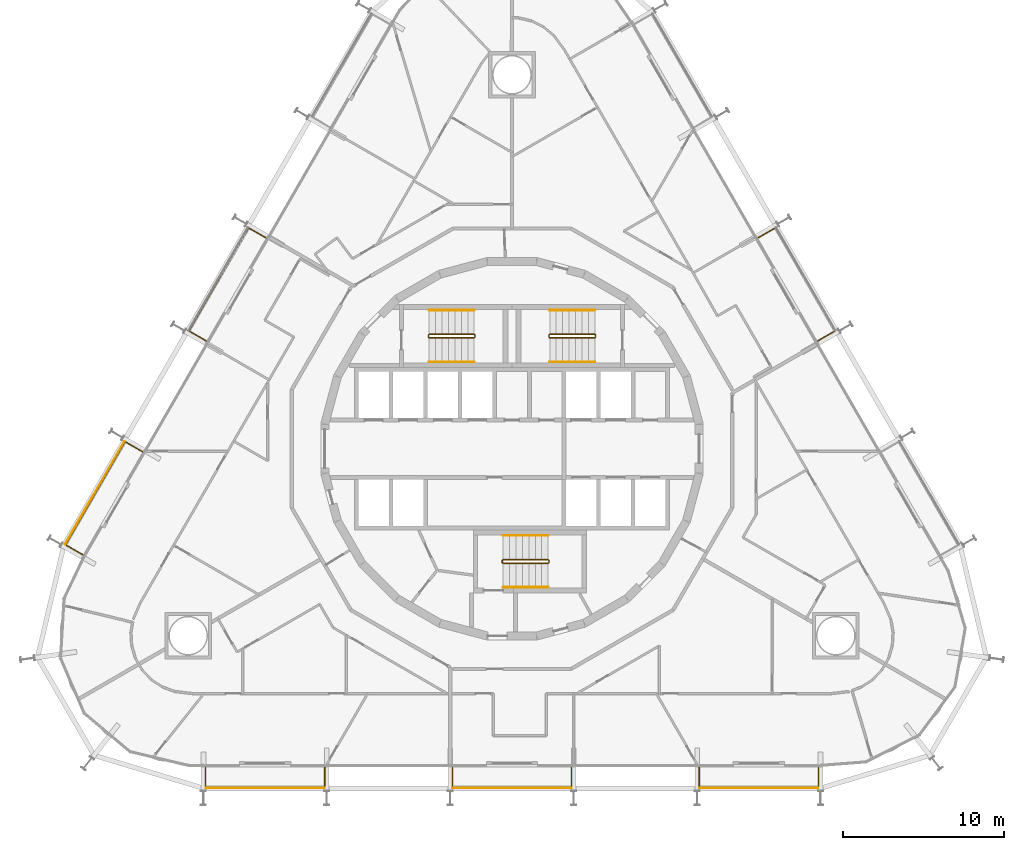
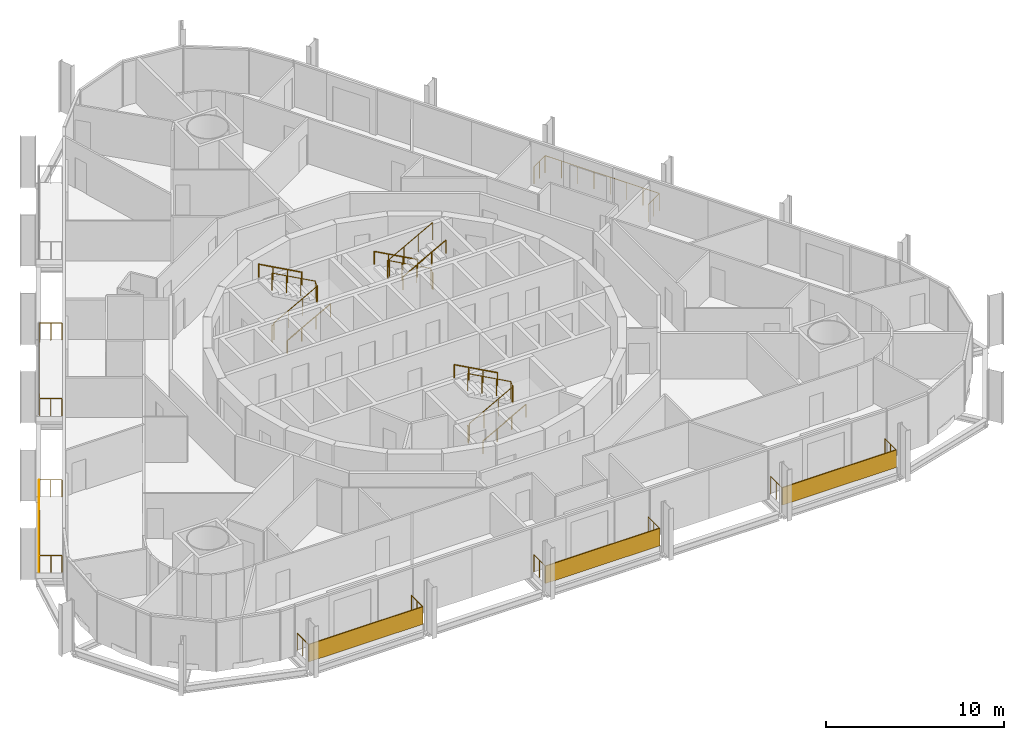
# One storey, part 19 of 20: 15 railings, 4 shading devices.
"""IFC4 building model written with IfcOpenShell, lengths in metres."""

from ifc_helpers import new_model, si_unit, direction, frame, origin, origin_2d, place, context, subcontext, project, spatial, rectangle, circle, extrude, material, layer, layer_set, type_object, element, save


model = new_model("IFC4")

# Units and contexts
model_context = context("Model", 3, precision=1e-05, world=origin(), true_north=direction((0.0, 1.0)))
body_context = subcontext(model_context, "Body", "Model", "MODEL_VIEW")
ifc_project = project(units=[si_unit("LENGTHUNIT", "METRE"), si_unit("AREAUNIT", "SQUARE_METRE"), si_unit("VOLUMEUNIT", "CUBIC_METRE"), si_unit("PLANEANGLEUNIT", "RADIAN"), si_unit("MASSUNIT", "GRAM", prefix="KILO")], contexts=[model_context])

# Site, building, storey
site_placement = place(None, origin())
site = spatial("IfcSite", under=ifc_project, at=site_placement, CompositionType="ELEMENT")
building_placement = place(site_placement, origin())
building = spatial("IfcBuilding", under=site, at=building_placement, Name="Spindle Arch Residences", CompositionType="ELEMENT")
storey_placement = place(building_placement, frame((0.0, 0.0, 41.89990234375)))
storey = spatial("IfcBuildingStorey", under=building, at=storey_placement, Name="L08", CompositionType="ELEMENT", Elevation=41.89990234375)

# Railings
ifc_material_1 = material(Name="Bronze anodised aluminium guard with glass infill", Category="aluminium")
railing_type_1 = type_object("IfcRailingType", Name="Balcony guard 1200", PredefinedType="GUARDRAIL", material=ifc_material_1)
railing_1_placement = place(storey_placement, frame((11.655029296875, -19.81982421875, 0.0)))
element("IfcRailing", 1, at=railing_1_placement, inside=storey, type_object=railing_type_1, Name="Guard L08 bay 2", PredefinedType="GUARDRAIL", context=body_context, shape_type="SweptSolid", body=[
    extrude(circle(Radius=0.02392578125, at=origin_2d()), frame((0.0, 0.0, 1.17578125), z_axis=(0.0, -1.0, 0.0), x_axis=(1.0, 0.0, 0.0)), (0.0, 0.0, 1.0), 1.25),
    extrude(circle(Radius=0.02392578125, at=origin_2d()), frame((0.0, -1.25, 1.17578125), z_axis=(1.0, 0.0, 0.0), x_axis=(0.0, 1.0, 0.0)), (0.0, 0.0, 1.0), 7.41015625),
    extrude(circle(Radius=0.02392578125, at=origin_2d()), frame((7.41015625, -1.25, 1.17578125), z_axis=(0.0, 1.0, 0.0), x_axis=(-1.0, 0.0, 0.0)), (0.0, 0.0, 1.0), 1.25),
    extrude(circle(Radius=0.02099609375, at=origin_2d()), origin(), (0.0, 0.0, 1.0), 1.15185546875),
    extrude(circle(Radius=0.02099609375, at=origin_2d()), frame((0.0, -0.625, 0.0)), (0.0, 0.0, 1.0), 1.15185546875),
    extrude(circle(Radius=0.02099609375, at=origin_2d()), frame((0.0, -1.25, 0.0)), (0.0, 0.0, 1.0), 1.15185546875),
    extrude(circle(Radius=0.02099609375, at=origin_2d()), frame((1.05859375, -1.25, 0.0)), (0.0, 0.0, 1.0), 1.15185546875),
    extrude(circle(Radius=0.02099609375, at=origin_2d()), frame((2.1171875, -1.25, 0.0)), (0.0, 0.0, 1.0), 1.15185546875),
    extrude(circle(Radius=0.02099609375, at=origin_2d()), frame((3.17578125, -1.25, 0.0)), (0.0, 0.0, 1.0), 1.15185546875),
    extrude(circle(Radius=0.02099609375, at=origin_2d()), frame((4.234375, -1.25, 0.0)), (0.0, 0.0, 1.0), 1.15185546875),
    extrude(circle(Radius=0.02099609375, at=origin_2d()), frame((5.29296875, -1.25, 0.0)), (0.0, 0.0, 1.0), 1.15185546875),
    extrude(circle(Radius=0.02099609375, at=origin_2d()), frame((6.3515625, -1.25, 0.0)), (0.0, 0.0, 1.0), 1.15185546875),
    extrude(circle(Radius=0.02099609375, at=origin_2d()), frame((7.41015625, -1.25, 0.0)), (0.0, 0.0, 1.0), 1.15185546875),
    extrude(circle(Radius=0.02099609375, at=origin_2d()), frame((7.41015625, -0.625, 0.0)), (0.0, 0.0, 1.0), 1.15185546875),
    extrude(circle(Radius=0.02099609375, at=origin_2d()), frame((7.41015625, 0.0, 0.0)), (0.0, 0.0, 1.0), 1.15185546875),
])
railing_2_placement = place(storey_placement, frame((19.01708984375, 6.701416015625, 0.0)))
element("IfcRailing", 2, at=railing_2_placement, inside=storey, type_object=railing_type_1, Name="Guard L08 bay 8", PredefinedType="GUARDRAIL", context=body_context, shape_type="SweptSolid", body=[
    extrude(circle(Radius=0.02392578125, at=origin_2d()), frame((0.0, 0.0, 1.17578125), z_axis=(0.866022959057, 0.500004234368, 0.0), x_axis=(-0.500004234368, 0.866022959057, 0.0)), (0.0, 0.0, 1.0), 1.25),
    extrude(circle(Radius=0.02392578125, at=origin_2d()), frame((1.08251953125, 0.625, 1.17578125), z_axis=(-0.500008603535, 0.866020436474, 0.0), x_axis=(-0.866020436474, -0.500008603535, 0.0)), (0.0, 0.0, 1.0), 7.409912109375),
    extrude(circle(Radius=0.02392578125, at=origin_2d()), frame((-2.62255859375, 7.042236328125, 1.17578125), z_axis=(-0.866022959057, -0.500004234368, 0.0), x_axis=(0.500004234368, -0.866022959057, 0.0)), (0.0, 0.0, 1.0), 1.25),
    extrude(circle(Radius=0.02099609375, at=origin_2d()), origin(), (0.0, 0.0, 1.0), 1.15185546875),
    extrude(circle(Radius=0.02099609375, at=origin_2d()), frame((0.541259765625, 0.3125, 0.0)), (0.0, 0.0, 1.0), 1.15185546875),
    extrude(circle(Radius=0.02099609375, at=origin_2d()), frame((1.08251953125, 0.625, 0.0)), (0.0, 0.0, 1.0), 1.15185546875),
    extrude(circle(Radius=0.02099609375, at=origin_2d()), frame((0.55322265625, 1.541748046875, 0.0)), (0.0, 0.0, 1.0), 1.15185546875),
    extrude(circle(Radius=0.02099609375, at=origin_2d()), frame((0.02392578125, 2.45849609375, 0.0)), (0.0, 0.0, 1.0), 1.15185546875),
    extrude(circle(Radius=0.02099609375, at=origin_2d()), frame((-0.50537109375, 3.375244140625, 0.0)), (0.0, 0.0, 1.0), 1.15185546875),
    extrude(circle(Radius=0.02099609375, at=origin_2d()), frame((-1.03466796875, 4.2919921875, 0.0)), (0.0, 0.0, 1.0), 1.15185546875),
    extrude(circle(Radius=0.02099609375, at=origin_2d()), frame((-1.56396484375, 5.208740234375, 0.0)), (0.0, 0.0, 1.0), 1.15185546875),
    extrude(circle(Radius=0.02099609375, at=origin_2d()), frame((-2.09326171875, 6.12548828125, 0.0)), (0.0, 0.0, 1.0), 1.15185546875),
    extrude(circle(Radius=0.02099609375, at=origin_2d()), frame((-2.62255859375, 7.042236328125, 0.0)), (0.0, 0.0, 1.0), 1.15185546875),
    extrude(circle(Radius=0.02099609375, at=origin_2d()), frame((-3.163818359375, 6.729736328125, 0.0)), (0.0, 0.0, 1.0), 1.15185546875),
    extrude(circle(Radius=0.02099609375, at=origin_2d()), frame((-3.705078125, 6.417236328125, 0.0)), (0.0, 0.0, 1.0), 1.15185546875),
])
railing_3_placement = place(storey_placement, frame((-15.31201171875, 13.11865234375, 0.0)))
element("IfcRailing", 3, at=railing_3_placement, inside=storey, type_object=railing_type_1, Name="Guard L08 bay 16", PredefinedType="GUARDRAIL", context=body_context, shape_type="SweptSolid", body=[
    extrude(circle(Radius=0.02392578125, at=origin_2d()), frame((0.0, 0.0, 1.17578125), z_axis=(-0.866022959057, 0.500004234368, 0.0), x_axis=(-0.500004234368, -0.866022959057, 0.0)), (0.0, 0.0, 1.0), 1.25),
    extrude(circle(Radius=0.02392578125, at=origin_2d()), frame((-1.08251953125, 0.625, 1.17578125), z_axis=(-0.500008603535, -0.866020436474, 0.0), x_axis=(0.866020436474, -0.500008603535, 0.0)), (0.0, 0.0, 1.0), 7.409912109375),
    extrude(circle(Radius=0.02392578125, at=origin_2d()), frame((-4.78759765625, -5.792236328125, 1.17578125), z_axis=(0.866022959057, -0.500004234368, 0.0), x_axis=(0.500004234368, 0.866022959057, 0.0)), (0.0, 0.0, 1.0), 1.25),
    extrude(circle(Radius=0.02099609375, at=origin_2d()), origin(), (0.0, 0.0, 1.0), 1.15185546875),
    extrude(circle(Radius=0.02099609375, at=origin_2d()), frame((-0.541259765625, 0.3125, 0.0)), (0.0, 0.0, 1.0), 1.15185546875),
    extrude(circle(Radius=0.02099609375, at=origin_2d()), frame((-1.08251953125, 0.625, 0.0)), (0.0, 0.0, 1.0), 1.15185546875),
    extrude(circle(Radius=0.02099609375, at=origin_2d()), frame((-1.61181640625, -0.291748046875, 0.0)), (0.0, 0.0, 1.0), 1.15185546875),
    extrude(circle(Radius=0.02099609375, at=origin_2d()), frame((-2.14111328125, -1.20849609375, 0.0)), (0.0, 0.0, 1.0), 1.15185546875),
    extrude(circle(Radius=0.02099609375, at=origin_2d()), frame((-2.67041015625, -2.125244140625, 0.0)), (0.0, 0.0, 1.0), 1.15185546875),
    extrude(circle(Radius=0.02099609375, at=origin_2d()), frame((-3.19970703125, -3.0419921875, 0.0)), (0.0, 0.0, 1.0), 1.15185546875),
    extrude(circle(Radius=0.02099609375, at=origin_2d()), frame((-3.72900390625, -3.958740234375, 0.0)), (0.0, 0.0, 1.0), 1.15185546875),
    extrude(circle(Radius=0.02099609375, at=origin_2d()), frame((-4.25830078125, -4.87548828125, 0.0)), (0.0, 0.0, 1.0), 1.15185546875),
    extrude(circle(Radius=0.02099609375, at=origin_2d()), frame((-4.78759765625, -5.792236328125, 0.0)), (0.0, 0.0, 1.0), 1.15185546875),
    extrude(circle(Radius=0.02099609375, at=origin_2d()), frame((-4.246337890625, -6.104736328125, 0.0)), (0.0, 0.0, 1.0), 1.15185546875),
    extrude(circle(Radius=0.02099609375, at=origin_2d()), frame((-3.705078125, -6.417236328125, 0.0)), (0.0, 0.0, 1.0), 1.15185546875),
])
railing_4_placement = place(storey_placement, frame((-22.9921875, -0.18359375, 0.0)))
element("IfcRailing", 4, at=railing_4_placement, inside=storey, type_object=railing_type_1, Name="Guard L08 bay 18", PredefinedType="GUARDRAIL", context=body_context, shape_type="SweptSolid", body=[
    extrude(circle(Radius=0.02392578125, at=origin_2d()), frame((0.0, 0.0, 1.17578125), z_axis=(-0.866022959057, 0.500004234368, 0.0), x_axis=(-0.500004234368, -0.866022959057, 0.0)), (0.0, 0.0, 1.0), 1.25),
    extrude(circle(Radius=0.02392578125, at=origin_2d()), frame((-1.08251953125, 0.625, 1.17578125), z_axis=(-0.499994337101, -0.866028673236, 0.0), x_axis=(0.866028673236, -0.499994337101, 0.0)), (0.0, 0.0, 1.0), 7.41015625),
    extrude(circle(Radius=0.02392578125, at=origin_2d()), frame((-4.78759765625, -5.79248046875, 1.17578125), z_axis=(0.866071776036, -0.499919672301, 0.0), x_axis=(0.499919672301, 0.866071776036, 0.0)), (0.0, 0.0, 1.0), 1.250244140625),
    extrude(circle(Radius=0.02099609375, at=origin_2d()), origin(), (0.0, 0.0, 1.0), 1.15185546875),
    extrude(circle(Radius=0.02099609375, at=origin_2d()), frame((-0.541259765625, 0.3125, 0.0)), (0.0, 0.0, 1.0), 1.15185546875),
    extrude(circle(Radius=0.02099609375, at=origin_2d()), frame((-1.08251953125, 0.625, 0.0)), (0.0, 0.0, 1.0), 1.15185546875),
    extrude(circle(Radius=0.02099609375, at=origin_2d()), frame((-1.61181640625, -0.291748046875, 0.0)), (0.0, 0.0, 1.0), 1.15185546875),
    extrude(circle(Radius=0.02099609375, at=origin_2d()), frame((-2.14111328125, -1.20849609375, 0.0)), (0.0, 0.0, 1.0), 1.15185546875),
    extrude(circle(Radius=0.02099609375, at=origin_2d()), frame((-2.67041015625, -2.125244140625, 0.0)), (0.0, 0.0, 1.0), 1.15185546875),
    extrude(circle(Radius=0.02099609375, at=origin_2d()), frame((-3.19970703125, -3.042236328125, 0.0)), (0.0, 0.0, 1.0), 1.15185546875),
    extrude(circle(Radius=0.02099609375, at=origin_2d()), frame((-3.72900390625, -3.958984375, 0.0)), (0.0, 0.0, 1.0), 1.15185546875),
    extrude(circle(Radius=0.02099609375, at=origin_2d()), frame((-4.25830078125, -4.875732421875, 0.0)), (0.0, 0.0, 1.0), 1.15185546875),
    extrude(circle(Radius=0.02099609375, at=origin_2d()), frame((-4.78759765625, -5.79248046875, 0.0)), (0.0, 0.0, 1.0), 1.15185546875),
    extrude(circle(Radius=0.02099609375, at=origin_2d()), frame((-4.24609375, -6.10498046875, 0.0)), (0.0, 0.0, 1.0), 1.15185546875),
    extrude(circle(Radius=0.02099609375, at=origin_2d()), frame((-3.704833984375, -6.41748046875, 0.0)), (0.0, 0.0, 1.0), 1.15185546875),
])
railing_5_placement = place(storey_placement, frame((-19.065185546875, -19.81982421875, 0.0)))
element("IfcRailing", 5, at=railing_5_placement, inside=storey, type_object=railing_type_1, Name="Guard L08 bay 22", PredefinedType="GUARDRAIL", context=body_context, shape_type="SweptSolid", body=[
    extrude(circle(Radius=0.02392578125, at=origin_2d()), frame((0.0, 0.0, 1.17578125), z_axis=(0.0, -1.0, 0.0), x_axis=(1.0, 0.0, 0.0)), (0.0, 0.0, 1.0), 1.25),
    extrude(circle(Radius=0.02392578125, at=origin_2d()), frame((0.0, -1.25, 1.17578125), z_axis=(1.0, 0.0, 0.0), x_axis=(0.0, 1.0, 0.0)), (0.0, 0.0, 1.0), 7.41015625),
    extrude(circle(Radius=0.02392578125, at=origin_2d()), frame((7.41015625, -1.25, 1.17578125), z_axis=(0.0, 1.0, 0.0), x_axis=(-1.0, 0.0, 0.0)), (0.0, 0.0, 1.0), 1.25),
    extrude(circle(Radius=0.02099609375, at=origin_2d()), origin(), (0.0, 0.0, 1.0), 1.15185546875),
    extrude(circle(Radius=0.02099609375, at=origin_2d()), frame((0.0, -0.625, 0.0)), (0.0, 0.0, 1.0), 1.15185546875),
    extrude(circle(Radius=0.02099609375, at=origin_2d()), frame((0.0, -1.25, 0.0)), (0.0, 0.0, 1.0), 1.15185546875),
    extrude(circle(Radius=0.02099609375, at=origin_2d()), frame((1.05859375, -1.25, 0.0)), (0.0, 0.0, 1.0), 1.15185546875),
    extrude(circle(Radius=0.02099609375, at=origin_2d()), frame((2.1171875, -1.25, 0.0)), (0.0, 0.0, 1.0), 1.15185546875),
    extrude(circle(Radius=0.02099609375, at=origin_2d()), frame((3.17578125, -1.25, 0.0)), (0.0, 0.0, 1.0), 1.15185546875),
    extrude(circle(Radius=0.02099609375, at=origin_2d()), frame((4.234375, -1.25, 0.0)), (0.0, 0.0, 1.0), 1.15185546875),
    extrude(circle(Radius=0.02099609375, at=origin_2d()), frame((5.29296875, -1.25, 0.0)), (0.0, 0.0, 1.0), 1.15185546875),
    extrude(circle(Radius=0.02099609375, at=origin_2d()), frame((6.3515625, -1.25, 0.0)), (0.0, 0.0, 1.0), 1.15185546875),
    extrude(circle(Radius=0.02099609375, at=origin_2d()), frame((7.41015625, -1.25, 0.0)), (0.0, 0.0, 1.0), 1.15185546875),
    extrude(circle(Radius=0.02099609375, at=origin_2d()), frame((7.41015625, -0.625, 0.0)), (0.0, 0.0, 1.0), 1.15185546875),
    extrude(circle(Radius=0.02099609375, at=origin_2d()), frame((7.41015625, 0.0, 0.0)), (0.0, 0.0, 1.0), 1.15185546875),
])
railing_6_placement = place(storey_placement, frame((-3.705078125, -19.81982421875, 0.0)))
element("IfcRailing", 6, at=railing_6_placement, inside=storey, type_object=railing_type_1, Name="Guard L08 bay 24", PredefinedType="GUARDRAIL", context=body_context, shape_type="SweptSolid", body=[
    extrude(circle(Radius=0.02392578125, at=origin_2d()), frame((0.0, 0.0, 1.17578125), z_axis=(0.0, -1.0, 0.0), x_axis=(1.0, 0.0, 0.0)), (0.0, 0.0, 1.0), 1.25),
    extrude(circle(Radius=0.02392578125, at=origin_2d()), frame((0.0, -1.25, 1.17578125), z_axis=(1.0, 0.0, 0.0), x_axis=(0.0, 1.0, 0.0)), (0.0, 0.0, 1.0), 7.41015625),
    extrude(circle(Radius=0.02392578125, at=origin_2d()), frame((7.41015625, -1.25, 1.17578125), z_axis=(0.0, 1.0, 0.0), x_axis=(-1.0, 0.0, 0.0)), (0.0, 0.0, 1.0), 1.25),
    extrude(circle(Radius=0.02099609375, at=origin_2d()), origin(), (0.0, 0.0, 1.0), 1.15185546875),
    extrude(circle(Radius=0.02099609375, at=origin_2d()), frame((0.0, -0.625, 0.0)), (0.0, 0.0, 1.0), 1.15185546875),
    extrude(circle(Radius=0.02099609375, at=origin_2d()), frame((0.0, -1.25, 0.0)), (0.0, 0.0, 1.0), 1.15185546875),
    extrude(circle(Radius=0.02099609375, at=origin_2d()), frame((1.05859375, -1.25, 0.0)), (0.0, 0.0, 1.0), 1.15185546875),
    extrude(circle(Radius=0.02099609375, at=origin_2d()), frame((2.1171875, -1.25, 0.0)), (0.0, 0.0, 1.0), 1.15185546875),
    extrude(circle(Radius=0.02099609375, at=origin_2d()), frame((3.17578125, -1.25, 0.0)), (0.0, 0.0, 1.0), 1.15185546875),
    extrude(circle(Radius=0.02099609375, at=origin_2d()), frame((4.234375, -1.25, 0.0)), (0.0, 0.0, 1.0), 1.15185546875),
    extrude(circle(Radius=0.02099609375, at=origin_2d()), frame((5.29296875, -1.25, 0.0)), (0.0, 0.0, 1.0), 1.15185546875),
    extrude(circle(Radius=0.02099609375, at=origin_2d()), frame((6.3515625, -1.25, 0.0)), (0.0, 0.0, 1.0), 1.15185546875),
    extrude(circle(Radius=0.02099609375, at=origin_2d()), frame((7.41015625, -1.25, 0.0)), (0.0, 0.0, 1.0), 1.15185546875),
    extrude(circle(Radius=0.02099609375, at=origin_2d()), frame((7.41015625, -0.625, 0.0)), (0.0, 0.0, 1.0), 1.15185546875),
    extrude(circle(Radius=0.02099609375, at=origin_2d()), frame((7.41015625, 0.0, 0.0)), (0.0, 0.0, 1.0), 1.15185546875),
])

# Shading devices
ifc_material_2 = material(Name="Bronze perforated cobogo screen")
ifc_layer = layer(ifc_material_2, 0.0390625)
ifc_layer_set = layer_set([ifc_layer], Name="Cobogo screen 1200")
shading_device_type = type_object("IfcShadingDeviceType", Name="Cobogo screen 1200", PredefinedType="USERDEFINED", material=ifc_layer_set)
for number, where, z_axis, x_axis, name in (
    (7, (15.360107421875, -21.1103515625, 0.0), (0.0, 0.0, 1.0), (1.0, 0.0, 0.0), "Cobogo screen L08 bay 2"),
    (8, (-25.962158203125, -2.7470703125, 0.0), (0.0, 0.0, 1.0), (-0.5, -0.866025403784, 0.0), "Cobogo screen L08 bay 18"),
    (9, (-15.360107421875, -21.1103515625, 0.0), (0.0, 0.0, 1.0), (1.0, 0.0, 0.0), "Cobogo screen L08 bay 22"),
    (10, (0.0, -21.1103515625, 0.0), (0.0, 0.0, 1.0), (1.0, 0.0, 0.0), "Cobogo screen L08 bay 24"),
):
    element("IfcShadingDevice", number, at=place(storey_placement, frame(where, z_axis=z_axis, x_axis=x_axis)), inside=storey, type_object=shading_device_type, Name=name, ObjectType="SCREEN", PredefinedType="USERDEFINED", context=body_context, shape_type="SweptSolid", body=[
        extrude(rectangle(XDim=7.41015625, YDim=0.0390625, at=origin_2d()), origin(), (0.0, 0.0, 1.0), 1.199951171875),
    ])

# Railings
ifc_material_3 = material(Name="Steel, painted", Category="steel")
railing_type_2 = type_object("IfcRailingType", Name="Stair guard 1100", PredefinedType="GUARDRAIL", material=ifc_material_3)
railing_7_placement = place(storey_placement, frame((5.14990234375, 6.89990234375, 3.5)))
element("IfcRailing", 11, at=railing_7_placement, inside=storey, type_object=railing_type_2, Name="L08 ST1 stair guard 1", PredefinedType="GUARDRAIL", context=body_context, shape_type="SweptSolid", body=[
    extrude(circle(Radius=0.02392578125, at=origin_2d()), frame((0.0, 0.0, 1.17578125), z_axis=(-0.877357048833, 0.0, -0.479838106931), x_axis=(0.0, -1.0, 0.0)), (0.0, 0.0, 1.0), 3.191162109375),
    extrude(circle(Radius=0.02392578125, at=origin_2d()), frame((-2.7998046875, 0.0, -0.35546875), z_axis=(-0.217683172539, 0.217683172539, -0.951434744366), x_axis=(-0.707106781187, -0.707106781187, 0.0)), (0.0, 0.0, 1.0), 0.22998046875),
    extrude(circle(Radius=0.02392578125, at=origin_2d()), frame((-2.849853515625, 0.050048828125, -0.57421875), z_axis=(0.0, 1.0, 0.0), x_axis=(-1.0, 0.0, 0.0)), (0.0, 0.0, 1.0), 0.1201171875),
    extrude(circle(Radius=0.02392578125, at=origin_2d()), frame((-2.849853515625, 0.170166015625, -0.57421875), z_axis=(0.707106781187, 0.707106781187, 0.0), x_axis=(-0.707106781187, 0.707106781187, 0.0)), (0.0, 0.0, 1.0), 0.07080078125),
    extrude(circle(Radius=0.02392578125, at=origin_2d()), frame((-2.7998046875, 0.22021484375, -0.57421875), z_axis=(0.877357048833, 0.0, -0.479838106931), x_axis=(0.0, 1.0, 0.0)), (0.0, 0.0, 1.0), 3.191162109375),
    extrude(circle(Radius=0.02392578125, at=origin_2d()), frame((0.0, 0.22021484375, -2.10546875), z_axis=(0.217683172539, -0.217683172539, -0.951434744366), x_axis=(0.707106781187, 0.707106781187, 0.0)), (0.0, 0.0, 1.0), 0.22998046875),
    extrude(circle(Radius=0.02392578125, at=origin_2d()), frame((0.050048828125, 0.170166015625, -2.32421875), z_axis=(0.0, -1.0, 0.0), x_axis=(1.0, 0.0, 0.0)), (0.0, 0.0, 1.0), 0.1201171875),
    extrude(circle(Radius=0.02099609375, at=origin_2d()), origin(), (0.0, 0.0, 1.0), 1.15185546875),
    extrude(circle(Radius=0.02099609375, at=origin_2d()), frame((-0.933349609375, 0.0, -0.510498046875)), (0.0, 0.0, 1.0), 1.15185546875),
    extrude(circle(Radius=0.02099609375, at=origin_2d()), frame((-1.866455078125, 0.0, -1.020751953125)), (0.0, 0.0, 1.0), 1.15185546875),
    extrude(circle(Radius=0.02099609375, at=origin_2d()), frame((-2.7998046875, 0.0, -1.53125)), (0.0, 0.0, 1.0), 1.15185546875),
    extrude(circle(Radius=0.02099609375, at=origin_2d()), frame((-2.849853515625, 0.050048828125, -1.75)), (0.0, 0.0, 1.0), 1.15185546875),
    extrude(circle(Radius=0.02099609375, at=origin_2d()), frame((-2.849853515625, 0.170166015625, -1.75)), (0.0, 0.0, 1.0), 1.15185546875),
    extrude(circle(Radius=0.02099609375, at=origin_2d()), frame((-2.7998046875, 0.22021484375, -1.75)), (0.0, 0.0, 1.0), 1.15185546875),
    extrude(circle(Radius=0.02099609375, at=origin_2d()), frame((-1.866455078125, 0.22021484375, -2.260498046875)), (0.0, 0.0, 1.0), 1.15185546875),
    extrude(circle(Radius=0.02099609375, at=origin_2d()), frame((-0.933349609375, 0.22021484375, -2.770751953125)), (0.0, 0.0, 1.0), 1.15185546875),
    extrude(circle(Radius=0.02099609375, at=origin_2d()), frame((0.0, 0.22021484375, -3.28125)), (0.0, 0.0, 1.0), 1.15185546875),
    extrude(circle(Radius=0.02099609375, at=origin_2d()), frame((0.050048828125, 0.170166015625, -3.5)), (0.0, 0.0, 1.0), 1.15185546875),
    extrude(circle(Radius=0.02099609375, at=origin_2d()), frame((0.050048828125, 0.050048828125, -3.5)), (0.0, 0.0, 1.0), 1.15185546875),
])
railing_8_placement = place(storey_placement, frame((-5.14990234375, 7.1201171875, 3.5)))
element("IfcRailing", 12, at=railing_8_placement, inside=storey, type_object=railing_type_2, Name="L08 ST2 stair guard 1", PredefinedType="GUARDRAIL", context=body_context, shape_type="SweptSolid", body=[
    extrude(circle(Radius=0.02392578125, at=origin_2d()), frame((0.0, 0.0, 1.17578125), z_axis=(0.877357048833, 0.0, -0.479838106931), x_axis=(0.0, 1.0, 0.0)), (0.0, 0.0, 1.0), 3.191162109375),
    extrude(circle(Radius=0.02392578125, at=origin_2d()), frame((2.7998046875, 0.0, -0.35546875), z_axis=(0.217683172539, -0.217683172539, -0.951434744366), x_axis=(0.707106781187, 0.707106781187, 0.0)), (0.0, 0.0, 1.0), 0.22998046875),
    extrude(circle(Radius=0.02392578125, at=origin_2d()), frame((2.849853515625, -0.050048828125, -0.57421875), z_axis=(0.0, -1.0, 0.0), x_axis=(1.0, 0.0, 0.0)), (0.0, 0.0, 1.0), 0.1201171875),
    extrude(circle(Radius=0.02392578125, at=origin_2d()), frame((2.849853515625, -0.170166015625, -0.57421875), z_axis=(-0.707106781187, -0.707106781187, 0.0), x_axis=(0.707106781187, -0.707106781187, 0.0)), (0.0, 0.0, 1.0), 0.07080078125),
    extrude(circle(Radius=0.02392578125, at=origin_2d()), frame((2.7998046875, -0.22021484375, -0.57421875), z_axis=(-0.877357048833, 0.0, -0.479838106931), x_axis=(0.0, -1.0, 0.0)), (0.0, 0.0, 1.0), 3.191162109375),
    extrude(circle(Radius=0.02392578125, at=origin_2d()), frame((0.0, -0.22021484375, -2.10546875), z_axis=(-0.217683172539, 0.217683172539, -0.951434744366), x_axis=(-0.707106781187, -0.707106781187, 0.0)), (0.0, 0.0, 1.0), 0.22998046875),
    extrude(circle(Radius=0.02392578125, at=origin_2d()), frame((-0.050048828125, -0.170166015625, -2.32421875), z_axis=(0.0, 1.0, 0.0), x_axis=(-1.0, 0.0, 0.0)), (0.0, 0.0, 1.0), 0.1201171875),
    extrude(circle(Radius=0.02099609375, at=origin_2d()), origin(), (0.0, 0.0, 1.0), 1.15185546875),
    extrude(circle(Radius=0.02099609375, at=origin_2d()), frame((0.933349609375, 0.0, -0.510498046875)), (0.0, 0.0, 1.0), 1.15185546875),
    extrude(circle(Radius=0.02099609375, at=origin_2d()), frame((1.866455078125, 0.0, -1.020751953125)), (0.0, 0.0, 1.0), 1.15185546875),
    extrude(circle(Radius=0.02099609375, at=origin_2d()), frame((2.7998046875, 0.0, -1.53125)), (0.0, 0.0, 1.0), 1.15185546875),
    extrude(circle(Radius=0.02099609375, at=origin_2d()), frame((2.849853515625, -0.050048828125, -1.75)), (0.0, 0.0, 1.0), 1.15185546875),
    extrude(circle(Radius=0.02099609375, at=origin_2d()), frame((2.849853515625, -0.170166015625, -1.75)), (0.0, 0.0, 1.0), 1.15185546875),
    extrude(circle(Radius=0.02099609375, at=origin_2d()), frame((2.7998046875, -0.22021484375, -1.75)), (0.0, 0.0, 1.0), 1.15185546875),
    extrude(circle(Radius=0.02099609375, at=origin_2d()), frame((1.866455078125, -0.22021484375, -2.260498046875)), (0.0, 0.0, 1.0), 1.15185546875),
    extrude(circle(Radius=0.02099609375, at=origin_2d()), frame((0.933349609375, -0.22021484375, -2.770751953125)), (0.0, 0.0, 1.0), 1.15185546875),
    extrude(circle(Radius=0.02099609375, at=origin_2d()), frame((0.0, -0.22021484375, -3.28125)), (0.0, 0.0, 1.0), 1.15185546875),
    extrude(circle(Radius=0.02099609375, at=origin_2d()), frame((-0.050048828125, -0.170166015625, -3.5)), (0.0, 0.0, 1.0), 1.15185546875),
    extrude(circle(Radius=0.02099609375, at=origin_2d()), frame((-0.050048828125, -0.050048828125, -3.5)), (0.0, 0.0, 1.0), 1.15185546875),
])
railing_9_placement = place(storey_placement, frame((-0.550048828125, -6.89990234375, 3.5)))
element("IfcRailing", 13, at=railing_9_placement, inside=storey, type_object=railing_type_2, Name="L08 ST3 stair guard 1", PredefinedType="GUARDRAIL", context=body_context, shape_type="SweptSolid", body=[
    extrude(circle(Radius=0.02392578125, at=origin_2d()), frame((0.0, 0.0, 1.17578125), z_axis=(0.877374661878, 0.0, -0.479805901063), x_axis=(0.0, 1.0, 0.0)), (0.0, 0.0, 1.0), 3.19140625),
    extrude(circle(Radius=0.02392578125, at=origin_2d()), frame((2.800048828125, 0.0, -0.35546875), z_axis=(0.217683172539, -0.217683172539, -0.951434744366), x_axis=(0.707106781187, 0.707106781187, 0.0)), (0.0, 0.0, 1.0), 0.22998046875),
    extrude(circle(Radius=0.02392578125, at=origin_2d()), frame((2.85009765625, -0.050048828125, -0.57421875), z_axis=(0.0, -1.0, 0.0), x_axis=(1.0, 0.0, 0.0)), (0.0, 0.0, 1.0), 0.1201171875),
    extrude(circle(Radius=0.02392578125, at=origin_2d()), frame((2.85009765625, -0.170166015625, -0.57421875), z_axis=(-0.707106781187, -0.707106781187, 0.0), x_axis=(0.707106781187, -0.707106781187, 0.0)), (0.0, 0.0, 1.0), 0.07080078125),
    extrude(circle(Radius=0.02392578125, at=origin_2d()), frame((2.800048828125, -0.22021484375, -0.57421875), z_axis=(-0.877374661878, 0.0, -0.479805901063), x_axis=(0.0, -1.0, 0.0)), (0.0, 0.0, 1.0), 3.19140625),
    extrude(circle(Radius=0.02392578125, at=origin_2d()), frame((0.0, -0.22021484375, -2.10546875), z_axis=(-0.217683172539, 0.217683172539, -0.951434744366), x_axis=(-0.707106781187, -0.707106781187, 0.0)), (0.0, 0.0, 1.0), 0.22998046875),
    extrude(circle(Radius=0.02392578125, at=origin_2d()), frame((-0.050048828125, -0.170166015625, -2.32421875), z_axis=(0.0, 1.0, 0.0), x_axis=(-1.0, 0.0, 0.0)), (0.0, 0.0, 1.0), 0.1201171875),
    extrude(circle(Radius=0.02099609375, at=origin_2d()), origin(), (0.0, 0.0, 1.0), 1.15185546875),
    extrude(circle(Radius=0.02099609375, at=origin_2d()), frame((0.933349609375, 0.0, -0.510498046875)), (0.0, 0.0, 1.0), 1.15185546875),
    extrude(circle(Radius=0.02099609375, at=origin_2d()), frame((1.86669921875, 0.0, -1.020751953125)), (0.0, 0.0, 1.0), 1.15185546875),
    extrude(circle(Radius=0.02099609375, at=origin_2d()), frame((2.800048828125, 0.0, -1.53125)), (0.0, 0.0, 1.0), 1.15185546875),
    extrude(circle(Radius=0.02099609375, at=origin_2d()), frame((2.85009765625, -0.050048828125, -1.75)), (0.0, 0.0, 1.0), 1.15185546875),
    extrude(circle(Radius=0.02099609375, at=origin_2d()), frame((2.85009765625, -0.170166015625, -1.75)), (0.0, 0.0, 1.0), 1.15185546875),
    extrude(circle(Radius=0.02099609375, at=origin_2d()), frame((2.800048828125, -0.22021484375, -1.75)), (0.0, 0.0, 1.0), 1.15185546875),
    extrude(circle(Radius=0.02099609375, at=origin_2d()), frame((1.86669921875, -0.22021484375, -2.260498046875)), (0.0, 0.0, 1.0), 1.15185546875),
    extrude(circle(Radius=0.02099609375, at=origin_2d()), frame((0.933349609375, -0.22021484375, -2.770751953125)), (0.0, 0.0, 1.0), 1.15185546875),
    extrude(circle(Radius=0.02099609375, at=origin_2d()), frame((0.0, -0.22021484375, -3.28125)), (0.0, 0.0, 1.0), 1.15185546875),
    extrude(circle(Radius=0.02099609375, at=origin_2d()), frame((-0.050048828125, -0.170166015625, -3.5)), (0.0, 0.0, 1.0), 1.15185546875),
    extrude(circle(Radius=0.02099609375, at=origin_2d()), frame((-0.050048828125, -0.050048828125, -3.5)), (0.0, 0.0, 1.0), 1.15185546875),
])
ifc_material_4 = material(Name="Steel, painted", Category="steel")
railing_type_3 = type_object("IfcRailingType", Name="Stair handrail 900", PredefinedType="HANDRAIL", material=ifc_material_4)
railing_10_placement = place(storey_placement, frame((5.14990234375, 8.6201171875, 0.21875)))
element("IfcRailing", 14, at=railing_10_placement, inside=storey, type_object=railing_type_3, Name="L08 ST1 stair handrail 1", PredefinedType="HANDRAIL", context=body_context, shape_type="SweptSolid", body=[
    extrude(circle(Radius=0.02392578125, at=origin_2d()), frame((0.0, 0.0, 0.8759765625), z_axis=(-0.877357048833, 0.0, 0.479838106931), x_axis=(0.0, -1.0, 0.0)), (0.0, 0.0, 1.0), 3.191162109375),
    extrude(circle(Radius=0.02099609375, at=origin_2d()), origin(), (0.0, 0.0, 1.0), 0.851806640625),
    extrude(circle(Radius=0.02099609375, at=origin_2d()), frame((-0.933349609375, 0.0, 0.510498046875)), (0.0, 0.0, 1.0), 0.851806640625),
    extrude(circle(Radius=0.02099609375, at=origin_2d()), frame((-1.866455078125, 0.0, 1.020751953125)), (0.0, 0.0, 1.0), 0.851806640625),
    extrude(circle(Radius=0.02099609375, at=origin_2d()), frame((-2.7998046875, 0.0, 1.53125)), (0.0, 0.0, 1.0), 0.851806640625),
])
for number, where, name in (
    (15, (2.35009765625, 5.39990234375, 1.96875), "L08 ST1 stair handrail 2"),
    (16, (-5.14990234375, 5.39990234375, 0.21875), "L08 ST2 stair handrail 1"),
):
    element("IfcRailing", number, at=place(storey_placement, frame(where)), inside=storey, type_object=railing_type_3, Name=name, PredefinedType="HANDRAIL", context=body_context, shape_type="SweptSolid", body=[
        extrude(circle(Radius=0.02392578125, at=origin_2d()), frame((0.0, 0.0, 0.8759765625), z_axis=(0.877357048833, 0.0, 0.479838106931), x_axis=(0.0, 1.0, 0.0)), (0.0, 0.0, 1.0), 3.191162109375),
        extrude(circle(Radius=0.02099609375, at=origin_2d()), origin(), (0.0, 0.0, 1.0), 0.851806640625),
        extrude(circle(Radius=0.02099609375, at=origin_2d()), frame((0.933349609375, 0.0, 0.510498046875)), (0.0, 0.0, 1.0), 0.851806640625),
        extrude(circle(Radius=0.02099609375, at=origin_2d()), frame((1.866455078125, 0.0, 1.020751953125)), (0.0, 0.0, 1.0), 0.851806640625),
        extrude(circle(Radius=0.02099609375, at=origin_2d()), frame((2.7998046875, 0.0, 1.53125)), (0.0, 0.0, 1.0), 0.851806640625),
    ])
railing_11_placement = place(storey_placement, frame((-2.35009765625, 8.6201171875, 1.96875)))
element("IfcRailing", 17, at=railing_11_placement, inside=storey, type_object=railing_type_3, Name="L08 ST2 stair handrail 2", PredefinedType="HANDRAIL", context=body_context, shape_type="SweptSolid", body=[
    extrude(circle(Radius=0.02392578125, at=origin_2d()), frame((0.0, 0.0, 0.8759765625), z_axis=(-0.877357048833, 0.0, 0.479838106931), x_axis=(0.0, -1.0, 0.0)), (0.0, 0.0, 1.0), 3.191162109375),
    extrude(circle(Radius=0.02099609375, at=origin_2d()), origin(), (0.0, 0.0, 1.0), 0.851806640625),
    extrude(circle(Radius=0.02099609375, at=origin_2d()), frame((-0.933349609375, 0.0, 0.510498046875)), (0.0, 0.0, 1.0), 0.851806640625),
    extrude(circle(Radius=0.02099609375, at=origin_2d()), frame((-1.866455078125, 0.0, 1.020751953125)), (0.0, 0.0, 1.0), 0.851806640625),
    extrude(circle(Radius=0.02099609375, at=origin_2d()), frame((-2.7998046875, 0.0, 1.53125)), (0.0, 0.0, 1.0), 0.851806640625),
])
railing_12_placement = place(storey_placement, frame((-0.550048828125, -8.6201171875, 0.21875)))
element("IfcRailing", 18, at=railing_12_placement, inside=storey, type_object=railing_type_3, Name="L08 ST3 stair handrail 1", PredefinedType="HANDRAIL", context=body_context, shape_type="SweptSolid", body=[
    extrude(circle(Radius=0.02392578125, at=origin_2d()), frame((0.0, 0.0, 0.8759765625), z_axis=(0.877374661878, 0.0, 0.479805901063), x_axis=(0.0, 1.0, 0.0)), (0.0, 0.0, 1.0), 3.19140625),
    extrude(circle(Radius=0.02099609375, at=origin_2d()), origin(), (0.0, 0.0, 1.0), 0.851806640625),
    extrude(circle(Radius=0.02099609375, at=origin_2d()), frame((0.933349609375, 0.0, 0.510498046875)), (0.0, 0.0, 1.0), 0.851806640625),
    extrude(circle(Radius=0.02099609375, at=origin_2d()), frame((1.86669921875, 0.0, 1.020751953125)), (0.0, 0.0, 1.0), 0.851806640625),
    extrude(circle(Radius=0.02099609375, at=origin_2d()), frame((2.800048828125, 0.0, 1.53125)), (0.0, 0.0, 1.0), 0.851806640625),
])
railing_13_placement = place(storey_placement, frame((2.25, -5.39990234375, 1.96875)))
element("IfcRailing", 19, at=railing_13_placement, inside=storey, type_object=railing_type_3, Name="L08 ST3 stair handrail 2", PredefinedType="HANDRAIL", context=body_context, shape_type="SweptSolid", body=[
    extrude(circle(Radius=0.02392578125, at=origin_2d()), frame((0.0, 0.0, 0.8759765625), z_axis=(-0.877374661878, 0.0, 0.479805901063), x_axis=(0.0, -1.0, 0.0)), (0.0, 0.0, 1.0), 3.19140625),
    extrude(circle(Radius=0.02099609375, at=origin_2d()), origin(), (0.0, 0.0, 1.0), 0.851806640625),
    extrude(circle(Radius=0.02099609375, at=origin_2d()), frame((-0.933349609375, 0.0, 0.510498046875)), (0.0, 0.0, 1.0), 0.851806640625),
    extrude(circle(Radius=0.02099609375, at=origin_2d()), frame((-1.86669921875, 0.0, 1.020751953125)), (0.0, 0.0, 1.0), 0.851806640625),
    extrude(circle(Radius=0.02099609375, at=origin_2d()), frame((-2.800048828125, 0.0, 1.53125)), (0.0, 0.0, 1.0), 0.851806640625),
])

save(model, "model.ifc")
